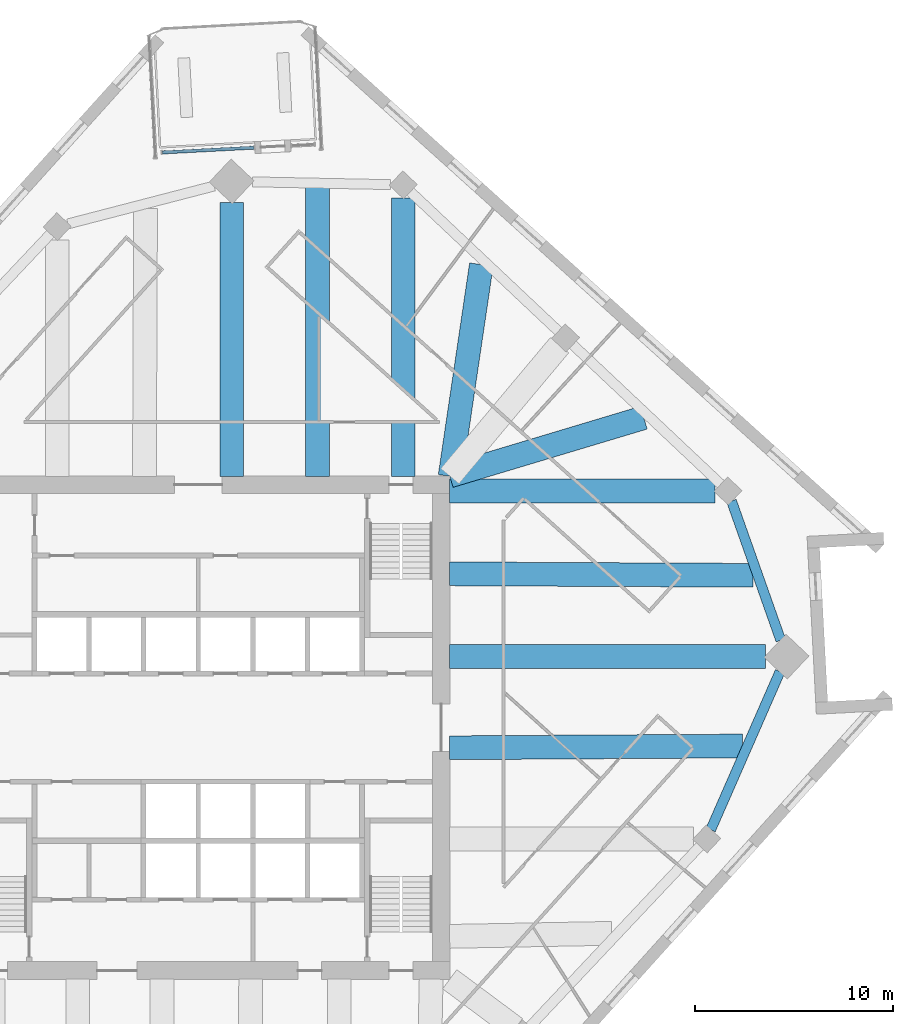
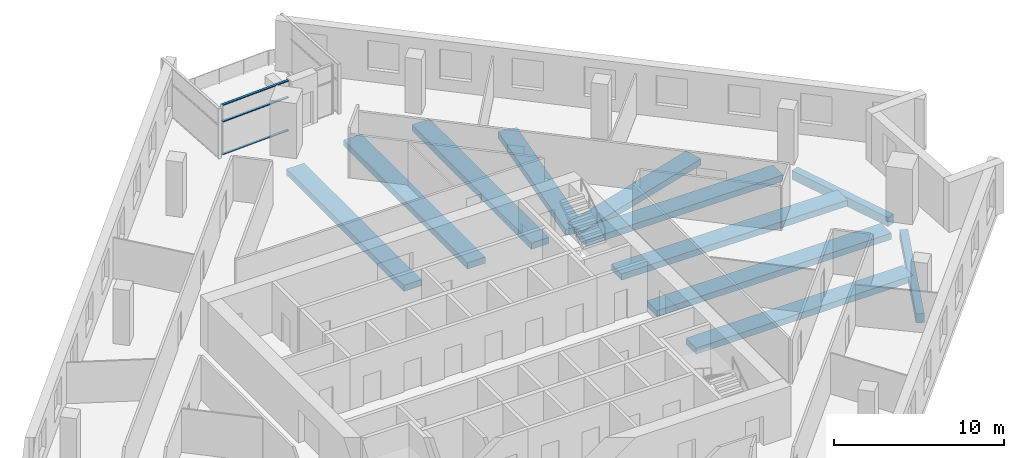
# One storey, part 3 of 12: 11 beams, 3 members, 1 element without a shape of its own.
"""IFC4 building model written with IfcOpenShell, lengths in metres."""

import ifcopenshell
import ifcopenshell.guid

model = None  # the IFC model being written
_history = None  # IfcOwnerHistory: only IFC2X3 demands one
_inside = {}  # id of a spatial element -> (the spatial element, [elements in it])
_under = {}  # id of a project, library or spatial element -> (it, [spatial elements below it])
_declared = {}  # id of a project -> (the project, [libraries it declares])
_typed = {}  # id of a type object -> (the type object, [elements of that type])
_made_of = {}  # id of a material, layer set ... -> (it, [elements and type objects made of it])


def new_model(schema):
    """Start an empty IFC model of exactly this schema.

    Asked for "IFC4X3", IfcOpenShell would pick the latest addendum, in which some entities
    have other attributes; the version numbers below select the first issue.
    IFC2X3 requires an IfcOwnerHistory on every rooted entity: one is made here for all.
    """
    global model, _history
    if schema == "IFC4X3":
        model = ifcopenshell.file(schema_version=(4, 3, 0, 0))
    else:
        model = ifcopenshell.file(schema=schema)
    _inside.clear()
    _under.clear()
    _declared.clear()
    _typed.clear()
    _made_of.clear()
    _history = None
    if model.schema == "IFC2X3":
        org = make("IfcOrganization", Name="unknown")
        user = make(
            "IfcPersonAndOrganization",
            ThePerson=make("IfcPerson", FamilyName="unknown"),
            TheOrganization=org,
        )
        app = make(
            "IfcApplication",
            ApplicationDeveloper=org,
            Version="unknown",
            ApplicationFullName="unknown",
            ApplicationIdentifier="unknown",
        )
        _history = make(
            "IfcOwnerHistory",
            OwningUser=user,
            OwningApplication=app,
            ChangeAction="ADDED",
            CreationDate=0,
        )
    return model


def make(cls, **values):
    """One entity of the class cls with the attributes given. An attribute that is None is left unset."""
    return model.create_entity(
        cls, **{name: value for name, value in values.items() if value is not None}
    )


def rooted(cls, **values):
    """An entity with a GlobalId (a new one), such as an element, a storey or a relation."""
    return make(cls, GlobalId=ifcopenshell.guid.new(), OwnerHistory=_history, **values)


def si_unit(unit_type, name, prefix=None):
    """IfcSIUnit, for example si_unit("LENGTHUNIT", "METRE", prefix="MILLI")."""
    return make("IfcSIUnit", UnitType=unit_type, Prefix=prefix, Name=name)


def assignment(units):
    """IfcUnitAssignment: the units of a project."""
    return None if units is None else make("IfcUnitAssignment", Units=units)


def point(xyz):
    """IfcCartesianPoint."""
    return None if xyz is None else make("IfcCartesianPoint", Coordinates=xyz)


def direction(xyz):
    """IfcDirection."""
    return None if xyz is None else make("IfcDirection", DirectionRatios=xyz)


def frame(location, z_axis=None, x_axis=None):
    """IfcAxis2Placement3D, a coordinate frame: its origin and axes. An axis left out is left unset."""
    return make(
        "IfcAxis2Placement3D",
        Location=point(location),
        Axis=direction(z_axis),
        RefDirection=direction(x_axis),
    )


def frame_2d(location, x_axis=None):
    """IfcAxis2Placement2D, a coordinate frame in the plane: its origin and x axis."""
    return make(
        "IfcAxis2Placement2D", Location=point(location), RefDirection=direction(x_axis)
    )


def origin():
    """The frame at (0, 0, 0) with its axes left unset."""
    return frame((0.0, 0.0, 0.0))


def origin_2d():
    """The frame at (0, 0) in the plane with its x axis left unset."""
    return frame_2d((0.0, 0.0))


def place(relative_to, where):
    """IfcLocalPlacement: puts the frame where relative to a parent placement (None: the world)."""
    return make(
        "IfcLocalPlacement", PlacementRelTo=relative_to, RelativePlacement=where
    )


def context(
    kind, dimensions, precision=None, world=None, true_north=None, identifier=None
):
    """IfcGeometricRepresentationContext, for example the 3D "Model" context."""
    return make(
        "IfcGeometricRepresentationContext",
        ContextIdentifier=identifier,
        ContextType=kind,
        CoordinateSpaceDimension=dimensions,
        Precision=precision,
        WorldCoordinateSystem=world,
        TrueNorth=true_north,
    )


def subcontext(parent, identifier, kind, view, scale=None):
    """IfcGeometricRepresentationSubContext, for example "Body" below "Model"."""
    return make(
        "IfcGeometricRepresentationSubContext",
        ContextIdentifier=identifier,
        ContextType=kind,
        ParentContext=parent,
        TargetScale=scale,
        TargetView=view,
    )


def project(units=None, contexts=None):
    """IfcProject with its units and contexts."""
    return rooted(
        "IfcProject",
        Name="project",
        RepresentationContexts=contexts,
        UnitsInContext=assignment(units),
    )


def spatial(cls, under=None, at=None, **own):
    """A site, building, storey or space (cls), placed at a placement, below another one or the project."""
    s = rooted(cls, ObjectPlacement=at, **own)
    if under is not None:
        _under.setdefault(under.id(), (under, []))[1].append(s)
    return s


def profile(cls, at=None, kind="AREA", **sizes):
    """A parametric profile (cls). Its sizes go by their IFC names, for example OverallWidth=200.0."""
    return make(cls, ProfileType=kind, Position=at, **sizes)


def rectangle(**sizes):
    """IfcRectangleProfileDef."""
    return profile("IfcRectangleProfileDef", **sizes)


def extrude(swept, where, along, depth):
    """IfcExtrudedAreaSolid: the profile swept, set in the frame where, extruded along a direction by depth."""
    return make(
        "IfcExtrudedAreaSolid",
        SweptArea=swept,
        Position=where,
        ExtrudedDirection=direction(along),
        Depth=depth,
    )


def shape(context_of_items, identifier, shape_type, items):
    """IfcShapeRepresentation: the items that make up one representation, for example the "Body"."""
    return make(
        "IfcShapeRepresentation",
        ContextOfItems=context_of_items,
        RepresentationIdentifier=identifier,
        RepresentationType=shape_type,
        Items=items,
    )


def material(Name=None, Category=None):
    """IfcMaterial."""
    return make("IfcMaterial", Name=Name, Category=Category)


def material_profile(
    of_material, cross_section, Name=None, Category=None, Priority=None
):
    """IfcMaterialProfile: a cross section and its material."""
    return make(
        "IfcMaterialProfile",
        Name=Name,
        Material=of_material,
        Profile=cross_section,
        Priority=Priority,
        Category=Category,
    )


def profile_set(profiles, Name=None, composite=None):
    """IfcMaterialProfileSet."""
    return make(
        "IfcMaterialProfileSet",
        Name=Name,
        MaterialProfiles=profiles,
        CompositeProfile=composite,
    )


def made_of(thing, what):
    """Note that an element or type object is made of a material, layer set ...; save() writes the relation."""
    if what is not None:
        _made_of.setdefault(what.id(), (what, []))[1].append(thing)
    return thing


def type_object(cls, material=None, **own):
    """A type object (cls), such as IfcWallType, which elements share."""
    return made_of(rooted(cls, **own), material)


def element(
    cls,
    number,
    at=None,
    inside=None,
    cuts=None,
    type_object=None,
    material=None,
    context=None,
    identifier="Body",
    shape_type=None,
    held_by="IfcProductDefinitionShape",
    body=None,
    shapes=None,
    **own,
):
    """One element of the class cls, such as IfcWall. Its Tag is "e" and its number.

    at: its placement. inside: the storey or other place that contains it. cuts: it is an
    opening in that element (IfcRelVoidsElement). A single representation is given by context,
    identifier, shape_type and body (its items); several are given by shapes. held_by: the class
    of the entity that holds the representations. save() writes the other relations.
    """
    e = rooted(cls, Tag="e%d" % number, ObjectPlacement=at, **own)
    if body is not None:
        shapes = [shape(context, identifier, shape_type, body)]
    if shapes is not None:
        e.Representation = make(held_by, Representations=shapes)
    if inside is not None:
        _inside.setdefault(inside.id(), (inside, []))[1].append(e)
    if cuts is not None:
        rooted(
            "IfcRelVoidsElement", RelatingBuildingElement=cuts, RelatedOpeningElement=e
        )
    if type_object is not None:
        _typed.setdefault(type_object.id(), (type_object, []))[1].append(e)
    return made_of(e, material)


def aggregate(whole, parts):
    """IfcRelAggregates: a whole, such as a stair, and the parts it consists of."""
    return rooted("IfcRelAggregates", RelatingObject=whole, RelatedObjects=parts)


def save(model, path):
    """Write the relations noted so far, then the file.

    IfcRelAggregates (storeys below a building ...), IfcRelContainedInSpatialStructure (elements
    in a storey), IfcRelDefinesByType, IfcRelAssociatesMaterial and IfcRelDeclares: one each for
    every whole, place, type object, material and project.
    """
    for whole, parts in _under.values():
        aggregate(whole, parts)
    for where, things in _inside.values():
        rooted(
            "IfcRelContainedInSpatialStructure",
            RelatedElements=things,
            RelatingStructure=where,
        )
    for kind, things in _typed.values():
        rooted("IfcRelDefinesByType", RelatedObjects=things, RelatingType=kind)
    for what, things in _made_of.values():
        rooted("IfcRelAssociatesMaterial", RelatedObjects=things, RelatingMaterial=what)
    for by, libraries in _declared.values():
        rooted("IfcRelDeclares", RelatingContext=by, RelatedDefinitions=libraries)
    model.write(path)


model = new_model("IFC4")

# Units and contexts
model_context = context("Model", 3, precision=1e-05, world=origin(), true_north=direction((0.0, 1.0)))
body_context = subcontext(model_context, "Body", "Model", "MODEL_VIEW")
ifc_project = project(units=[si_unit("LENGTHUNIT", "METRE"), si_unit("AREAUNIT", "SQUARE_METRE"), si_unit("VOLUMEUNIT", "CUBIC_METRE"), si_unit("PLANEANGLEUNIT", "RADIAN"), si_unit("MASSUNIT", "GRAM", prefix="KILO")], contexts=[model_context])

# Site, building, storey
site_placement = place(None, origin())
site = spatial("IfcSite", under=ifc_project, at=site_placement, CompositionType="ELEMENT")
building_placement = place(site_placement, origin())
building = spatial("IfcBuilding", under=site, at=building_placement, Name="Dilmun Exchange Tower", CompositionType="ELEMENT")
storey_placement = place(building_placement, frame((0.0, 0.0, 221.300048828125)))
storey = spatial("IfcBuildingStorey", under=building, at=storey_placement, Name="L52", CompositionType="ELEMENT", Elevation=221.300048828125)

# Curtain wall, members
ifc_material_1 = material(Name="Anodised aluminium and clear glass", Category="aluminium")
curtain_wall_type = type_object("IfcCurtainWallType", Name="Garden corner glazing", PredefinedType="NOTDEFINED", material=ifc_material_1)
curtain_wall_placement = place(storey_placement, origin())
curtain_wall = element("IfcCurtainWall", 1, at=curtain_wall_placement, inside=storey, type_object=curtain_wall_type, Name="Garden corner glazing run GC2.3", PredefinedType="NOTDEFINED")
ifc_material_2 = material(Name="Anodised aluminium", Category="aluminium")
ifc_material_profile_1 = material_profile(ifc_material_2, rectangle(XDim=0.159912109375, YDim=0.06005859375, at=origin_2d()), Name="AL 60x160")
ifc_profile_set_1 = profile_set([ifc_material_profile_1], Name="Anodised aluminium")
member_type = type_object("IfcMemberType", Name="Garden corner glazing transom 60 x 160", PredefinedType="USERDEFINED", material=ifc_profile_set_1)
member_1_placement = place(storey_placement, frame((2.799072265625, 29.241943359375, 0.030029296875), z_axis=(-0.998630066689, -0.052325805336, 0.0), x_axis=(0.052325805336, -0.998630066689, 0.0)))
member_1 = element("IfcMember", 2, at=member_1_placement, type_object=member_type, Name="GC2.3 transom 1.1", ObjectType="TRANSOM", PredefinedType="USERDEFINED", context=body_context, shape_type="SweptSolid", body=[
    extrude(rectangle(XDim=0.159912109375, YDim=0.06005859375, at=origin_2d()), origin(), (0.0, 0.0, 1.0), 4.619140625),
])
member_2_placement = place(storey_placement, frame((2.799072265625, 29.241943359375, 2.39990234375), z_axis=(-0.998630066689, -0.052325805336, 0.0), x_axis=(0.052325805336, -0.998630066689, 0.0)))
member_2 = element("IfcMember", 3, at=member_2_placement, type_object=member_type, Name="GC2.3 transom 1.2", ObjectType="TRANSOM", PredefinedType="USERDEFINED", context=body_context, shape_type="SweptSolid", body=[
    extrude(rectangle(XDim=0.159912109375, YDim=0.06005859375, at=origin_2d()), origin(), (0.0, 0.0, 1.0), 4.619140625),
])
member_3_placement = place(storey_placement, frame((2.799072265625, 29.241943359375, 3.58984375), z_axis=(-0.998630066689, -0.052325805336, 0.0), x_axis=(0.052325805336, -0.998630066689, 0.0)))
member_3 = element("IfcMember", 4, at=member_3_placement, type_object=member_type, Name="GC2.3 transom 1.3", ObjectType="TRANSOM", PredefinedType="USERDEFINED", context=body_context, shape_type="SweptSolid", body=[
    extrude(rectangle(XDim=0.159912109375, YDim=0.06005859375, at=origin_2d()), origin(), (0.0, 0.0, 1.0), 4.619140625),
])
aggregate(curtain_wall, [member_1, member_2, member_3])

# Beams
ifc_material_3 = material(Name="Concrete C40/50", Category="concrete")
ifc_material_profile_2 = material_profile(ifc_material_3, rectangle(XDim=1.199951171875, YDim=0.449951171875, at=origin_2d()), Name="1200 x 450")
ifc_profile_set_2 = profile_set([ifc_material_profile_2], Name="Concrete C40/50")
beam_type_1 = type_object("IfcBeamType", Name="RC band beam 1200 x 450 C40/50", PredefinedType="BEAM", material=ifc_profile_set_2)
beam_1_placement = place(storey_placement, frame((1.68505859375, 26.465576171875, -0.705078125), z_axis=(0.0, -1.0, 0.0), x_axis=(1.0, 0.0, 0.0)))
element("IfcBeam", 5, at=beam_1_placement, inside=storey, type_object=beam_type_1, Name="Band beam 1", PredefinedType="BEAM", context=body_context, shape_type="SweptSolid", body=[
    extrude(rectangle(XDim=1.199951171875, YDim=0.449951171875, at=origin_2d()), origin(), (0.0, 0.0, 1.0), 13.79248046875),
])
beam_2_placement = place(storey_placement, frame((28.586669921875, 3.58203125, -0.705078125), z_axis=(-1.0, 0.0, 0.0), x_axis=(0.0, -1.0, 0.0)))
element("IfcBeam", 6, at=beam_2_placement, inside=storey, type_object=beam_type_1, Name="Band beam 13", PredefinedType="BEAM", context=body_context, shape_type="SweptSolid", body=[
    extrude(rectangle(XDim=1.199951171875, YDim=0.449951171875, at=origin_2d()), origin(), (0.0, 0.0, 1.0), 15.91357421875),
])
beam_3_placement = place(storey_placement, frame((26.0458984375, 11.930908203125, -0.705078125), z_axis=(-1.0, 0.0, 0.0), x_axis=(0.0, -1.0, 0.0)))
element("IfcBeam", 7, at=beam_3_placement, inside=storey, type_object=beam_type_1, Name="Band beam 14", PredefinedType="BEAM", context=body_context, shape_type="SweptSolid", body=[
    extrude(rectangle(XDim=1.199951171875, YDim=0.449951171875, at=origin_2d()), origin(), (0.0, 0.0, 1.0), 13.372802734375),
])
beam_4_placement = place(storey_placement, frame((10.3330078125, 26.703857421875, -0.705078125), z_axis=(0.0, -1.0, 0.0), x_axis=(1.0, 0.0, 0.0)))
element("IfcBeam", 8, at=beam_4_placement, inside=storey, type_object=beam_type_1, Name="Band beam 16", PredefinedType="BEAM", context=body_context, shape_type="SweptSolid", body=[
    extrude(rectangle(XDim=1.199951171875, YDim=0.449951171875, at=origin_2d()), origin(), (0.0, 0.0, 1.0), 14.03076171875),
])
beam_5_placement = place(storey_placement, frame((27.441650390625, -0.924072265625, -0.60498046875), z_axis=(-0.999981696912, -0.006050276087, 0.0), x_axis=(0.006050276087, -0.999981696912, 0.0)))
element("IfcBeam", 9, at=beam_5_placement, inside=storey, type_object=beam_type_1, Name="Band beam 28", PredefinedType="BEAM", context=body_context, shape_type="SweptSolid", body=[
    extrude(rectangle(XDim=1.199951171875, YDim=0.449951171875, at=origin_2d()), origin(), (0.0, 0.0, 1.0), 14.768798828125),
])
beam_6_placement = place(storey_placement, frame((27.972412109375, 7.68212890625, -0.60498046875), z_axis=(-0.99998815601, 0.004867015408, 0.0), x_axis=(-0.004867015408, -0.99998815601, 0.0)))
element("IfcBeam", 10, at=beam_6_placement, inside=storey, type_object=beam_type_1, Name="Band beam 29", PredefinedType="BEAM", context=body_context, shape_type="SweptSolid", body=[
    extrude(rectangle(XDim=1.199951171875, YDim=0.449951171875, at=origin_2d()), origin(), (0.0, 0.0, 1.0), 15.299560546875),
])
beam_7_placement = place(storey_placement, frame((22.4599609375, 15.626708984375, -0.60498046875), z_axis=(-0.957849959988, -0.287268957862, 0.0), x_axis=(0.287268957862, -0.957849959988, 0.0)))
element("IfcBeam", 11, at=beam_7_placement, inside=storey, type_object=beam_type_1, Name="Band beam 30", PredefinedType="BEAM", context=body_context, shape_type="SweptSolid", body=[
    extrude(rectangle(XDim=1.199951171875, YDim=0.449951171875, at=origin_2d()), origin(), (0.0, 0.0, 1.0), 10.21630859375),
])
beam_8_placement = place(storey_placement, frame((14.2734375, 23.34326171875, -0.60498046875), z_axis=(-0.146268101323, -0.989244986106, 0.0), x_axis=(0.989244986106, -0.146268101323, 0.0)))
element("IfcBeam", 12, at=beam_8_placement, inside=storey, type_object=beam_type_1, Name="Band beam 31", PredefinedType="BEAM", context=body_context, shape_type="SweptSolid", body=[
    extrude(rectangle(XDim=1.199951171875, YDim=0.449951171875, at=origin_2d()), origin(), (0.0, 0.0, 1.0), 10.785888671875),
])
beam_9_placement = place(storey_placement, frame((6.00439453125, 27.22802734375, -0.60498046875), z_axis=(0.000318701025, -0.999999949215, 0.0), x_axis=(0.999999949215, 0.000318701025, 0.0)))
element("IfcBeam", 13, at=beam_9_placement, inside=storey, type_object=beam_type_1, Name="Band beam 32", PredefinedType="BEAM", context=body_context, shape_type="SweptSolid", body=[
    extrude(rectangle(XDim=1.199951171875, YDim=0.449951171875, at=origin_2d()), origin(), (0.0, 0.0, 1.0), 14.554931640625),
])
ifc_material_profile_3 = material_profile(ifc_material_3, rectangle(XDim=0.5, YDim=0.64990234375, at=origin_2d()), Name="500 x 650")
ifc_profile_set_3 = profile_set([ifc_material_profile_3], Name="Concrete C40/50")
beam_type_2 = type_object("IfcBeamType", Name="RC ring beam 500 x 650 C40/50", PredefinedType="SPANDREL", material=ifc_profile_set_3)
beam_10_placement = place(storey_placement, frame((25.835205078125, -5.1474609375, -0.705078125), z_axis=(0.401239440722, 0.915973204416, 0.0), x_axis=(-0.915973204416, 0.401239440722, 0.0)))
element("IfcBeam", 14, at=beam_10_placement, inside=storey, type_object=beam_type_2, Name="Ring beam 12", PredefinedType="SPANDREL", context=body_context, shape_type="SweptSolid", body=[
    extrude(rectangle(XDim=0.5, YDim=0.64990234375, at=origin_2d()), origin(), (0.0, 0.0, 1.0), 8.707763671875),
])
beam_11_placement = place(storey_placement, frame((29.367919921875, 4.404541015625, -0.705078125), z_axis=(-0.333423578623, 0.942777130195, 0.0), x_axis=(-0.942777130195, -0.333423578623, 0.0)))
element("IfcBeam", 15, at=beam_11_placement, inside=storey, type_object=beam_type_2, Name="Ring beam 13", PredefinedType="SPANDREL", context=body_context, shape_type="SweptSolid", body=[
    extrude(rectangle(XDim=0.5, YDim=0.64990234375, at=origin_2d()), origin(), (0.0, 0.0, 1.0), 7.4482421875),
])

save(model, "model.ifc")
